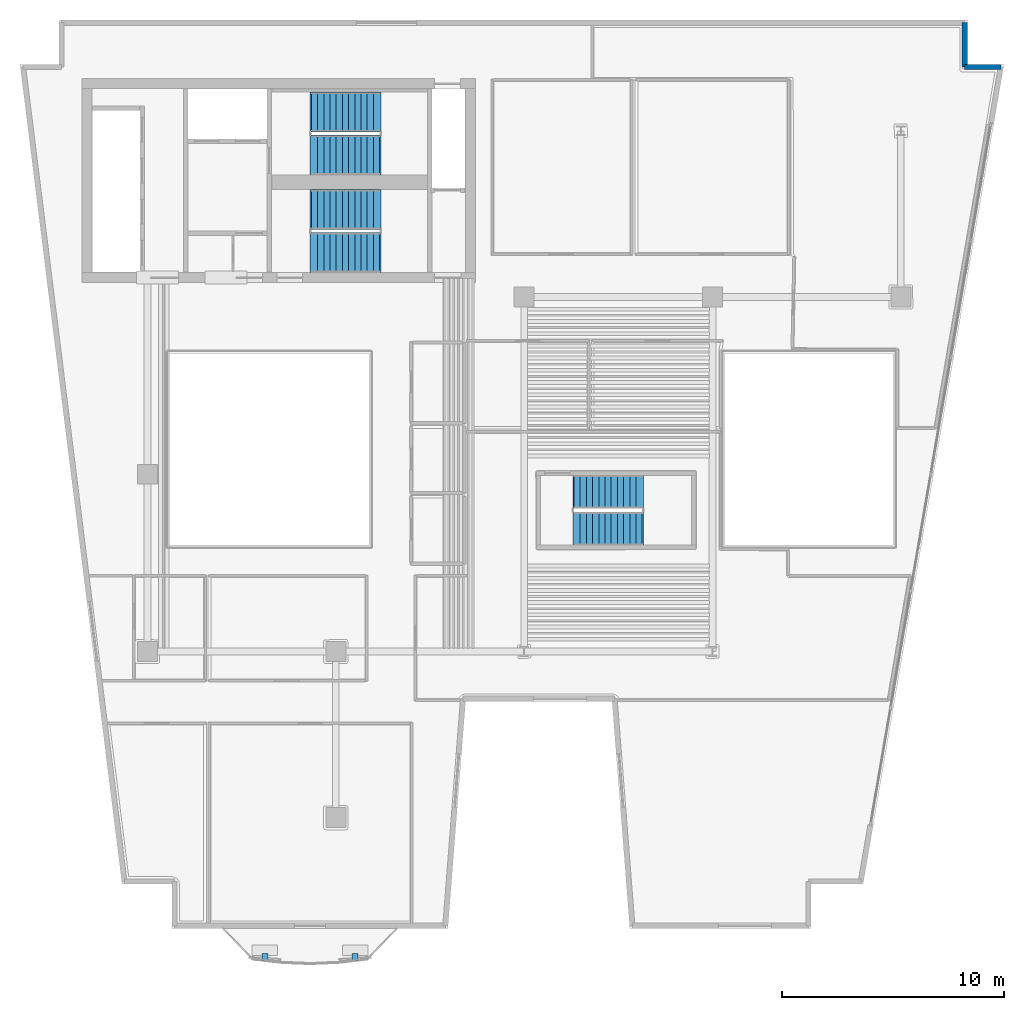
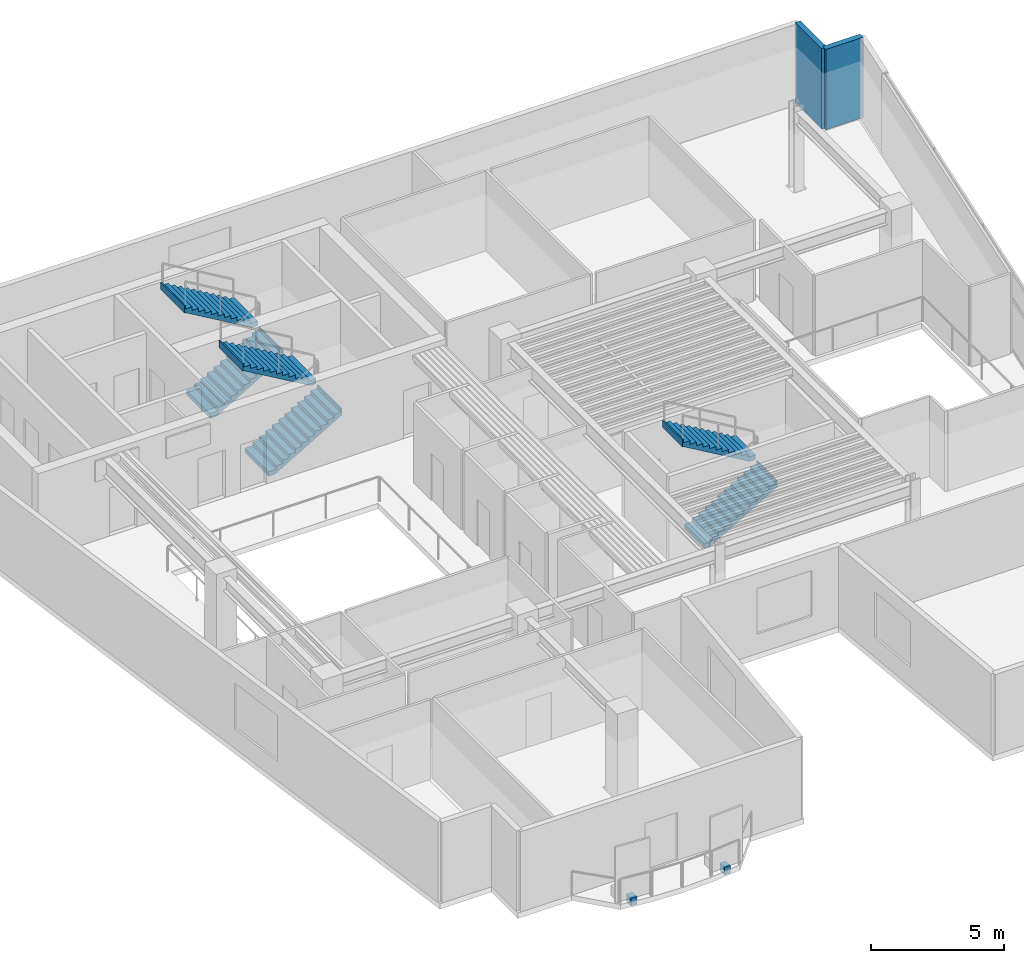
# One storey, part 6 of 9: 6 stair flights, 2 discrete accessories, 2 walls, 3 elements without a shape of their own.
"""IFC4 building model written with IfcOpenShell, lengths in metres."""

from ifc_helpers import new_model, si_unit, direction, frame, frame_2d, origin, origin_2d, place, context, subcontext, project, spatial, polyline, rectangle, outline, extrude, material, layer, layer_set, type_object, element, aggregate, save


model = new_model("IFC4")

# Units and contexts
model_context = context("Model", 3, precision=1e-05, world=origin(), true_north=direction((0.0, 1.0)))
body_context = subcontext(model_context, "Body", "Model", "MODEL_VIEW")
ifc_project = project(units=[si_unit("LENGTHUNIT", "METRE"), si_unit("AREAUNIT", "SQUARE_METRE"), si_unit("VOLUMEUNIT", "CUBIC_METRE"), si_unit("PLANEANGLEUNIT", "RADIAN"), si_unit("MASSUNIT", "GRAM", prefix="KILO")], contexts=[model_context])

# Site, building, storey
site_placement = place(None, origin())
site = spatial("IfcSite", under=ifc_project, at=site_placement, CompositionType="ELEMENT")
building_placement = place(site_placement, origin())
building = spatial("IfcBuilding", under=site, at=building_placement, Name="Caeloran Harvest Quay", CompositionType="ELEMENT")
storey_placement = place(building_placement, frame((0.0, 0.0, 215.35009765625)))
storey = spatial("IfcBuildingStorey", under=building, at=storey_placement, Name="L51", CompositionType="ELEMENT", Elevation=215.35009765625)

# Walls
ifc_material_1 = material(Name="Precast concrete C50/60", Category="concrete")
ifc_layer = layer(ifc_material_1, 0.239990234375, Name="Precast concrete C50/60")
ifc_layer_set = layer_set([ifc_layer], Name="Precast concrete C50/60")
wall_type = type_object("IfcWallType", Name="ENV-WALL-EW-240", PredefinedType="STANDARD", material=ifc_layer_set)
wall_1_placement = place(storey_placement, frame((45.3798828125, 43.3798828125, 0.0), z_axis=(0.0, 0.0, 1.0), x_axis=(0.0, -1.0, 0.0)))
element("IfcWall", 1, at=wall_1_placement, inside=storey, type_object=wall_type, Name="L51 Exterior Precast Concrete Facade Wall 7", PredefinedType="STANDARD", context=body_context, shape_type="SweptSolid", body=[
    extrude(rectangle(XDim=2.0, YDim=0.239990234375, at=frame_2d((1.0, 0.0))), origin(), (0.0, 0.0, 1.0), 3.699951171875),
])
wall_2_placement = place(storey_placement, frame((45.3798828125, 41.3798828125, 0.0), z_axis=(0.0, 0.0, 1.0), x_axis=(1.0, 0.0, 0.0)))
element("IfcWall", 2, at=wall_2_placement, inside=storey, type_object=wall_type, Name="L51 Exterior Precast Concrete Facade Wall 8", PredefinedType="STANDARD", context=body_context, shape_type="SweptSolid", body=[
    extrude(rectangle(XDim=1.634033203125, YDim=0.239990234375, at=frame_2d((0.81689453125, 0.0))), origin(), (0.0, 0.0, 1.0), 3.699951171875),
])

# Stair, stair flights
ifc_material_2 = material(Name="Concrete C50/60", Category="concrete")
stair_type_1 = type_object("IfcStairType", Name="STAIR-STC-180", PredefinedType="HALF_TURN_STAIR", material=ifc_material_2)
stair_1_placement = place(storey_placement, origin())
stair_1 = element("IfcStair", 3, at=stair_1_placement, inside=storey, type_object=stair_type_1, Name="L51 Core Pressurized Exit Stair ST-C1", PredefinedType="HALF_TURN_STAIR")
stair_flight_type_1 = type_object("IfcStairFlightType", Name="FLIGHT-STC-180", PredefinedType="STRAIGHT", material=ifc_material_2)
stair_flight_1_placement = place(storey_placement, frame((15.89990234375, 37.39990234375, 0.0), z_axis=(0.0, 0.0, 1.0), x_axis=(1.0, 0.0, 0.0)))
stair_flight_1 = element("IfcStairFlight", 4, at=stair_flight_1_placement, type_object=stair_flight_type_1, Name="ST-C1 flight 1", NumberOfRisers=12, NumberOfTreads=11, PredefinedType="STRAIGHT", RiserHeight=0.164583333, TreadLength=0.28, context=body_context, shape_type="SweptSolid", body=[
    extrude(outline(polyline([(-0.054931640625, -0.044921875), (-0.054931640625, -0.031982421875), (-0.054931640625, -0.018798828125), (-0.054931640625, -0.005615234375), (-0.054931640625, 0.00732421875), (-0.054931640625, 0.0205078125), (-0.054931640625, 0.03369140625), (-0.054931640625, 0.046630859375), (-0.054931640625, 0.059814453125), (-0.054931640625, 0.072998046875), (-0.054931640625, 0.0859375), (-0.054931640625, 0.09912109375), (-0.054931640625, 0.1123046875), (-0.054931640625, 0.125244140625), (-0.054931640625, 0.138427734375), (-0.054931640625, 0.1513671875), (-0.054931640625, 0.16455078125), (0.280029296875, 0.16455078125), (0.280029296875, 0.3291015625), (0.56005859375, 0.3291015625), (0.56005859375, 0.49365234375), (0.840087890625, 0.49365234375), (0.840087890625, 0.658447265625), (1.1201171875, 0.658447265625), (1.1201171875, 0.822998046875), (1.39990234375, 0.822998046875), (1.39990234375, 0.987548828125), (1.679931640625, 0.987548828125), (1.679931640625, 1.152099609375), (1.9599609375, 1.152099609375), (1.9599609375, 1.316650390625), (2.239990234375, 1.316650390625), (2.239990234375, 1.481201171875), (2.52001953125, 1.481201171875), (2.52001953125, 1.645751953125), (2.800048828125, 1.645751953125), (2.800048828125, 1.810302734375), (3.080078125, 1.810302734375), (3.080078125, 1.97509765625), (3.135009765625, 1.97509765625), (3.135009765625, 1.953857421875), (3.135009765625, 1.9326171875), (3.135009765625, 1.91162109375), (3.135009765625, 1.890380859375), (3.135009765625, 1.869140625), (3.135009765625, 1.84814453125), (3.135009765625, 1.826904296875), (3.135009765625, 1.8056640625), (3.135009765625, 1.78466796875), (3.135009765625, 1.763427734375), (3.135009765625, 1.7421875), (3.135009765625, 1.72119140625), (3.135009765625, 1.699951171875), (3.135009765625, 1.678955078125), (3.135009765625, 1.65771484375), (3.135009765625, 1.636474609375), (3.080078125, 1.636474609375), (0.21923828125, -0.044921875), (-0.054931640625, -0.044921875)])), frame((0.0, 0.89990234375, 0.0), z_axis=(0.0, -1.0, 0.0), x_axis=(1.0, 0.0, 0.0)), (0.0, 0.0, 1.0), 1.800048828125),
])
stair_flight_2_placement = place(storey_placement, frame((18.97998046875, 39.35009765625, 1.974853515625), z_axis=(0.0, 0.0, 1.0), x_axis=(-1.0, 0.0, 0.0)))
stair_flight_2 = element("IfcStairFlight", 5, at=stair_flight_2_placement, type_object=stair_flight_type_1, Name="ST-C1 flight 2", NumberOfRisers=12, NumberOfTreads=11, PredefinedType="STRAIGHT", RiserHeight=0.164583333, TreadLength=0.28, context=body_context, shape_type="SweptSolid", body=[
    extrude(outline(polyline([(-0.054931640625, -0.044921875), (-0.054931640625, -0.031982421875), (-0.054931640625, -0.018798828125), (-0.054931640625, -0.005615234375), (-0.054931640625, 0.00732421875), (-0.054931640625, 0.0205078125), (-0.054931640625, 0.03369140625), (-0.054931640625, 0.046630859375), (-0.054931640625, 0.059814453125), (-0.054931640625, 0.072998046875), (-0.054931640625, 0.0859375), (-0.054931640625, 0.09912109375), (-0.054931640625, 0.1123046875), (-0.054931640625, 0.125244140625), (-0.054931640625, 0.138427734375), (-0.054931640625, 0.1513671875), (-0.054931640625, 0.16455078125), (0.280029296875, 0.16455078125), (0.280029296875, 0.3291015625), (0.56005859375, 0.3291015625), (0.56005859375, 0.49365234375), (0.840087890625, 0.49365234375), (0.840087890625, 0.658447265625), (1.1201171875, 0.658447265625), (1.1201171875, 0.822998046875), (1.39990234375, 0.822998046875), (1.39990234375, 0.987548828125), (1.679931640625, 0.987548828125), (1.679931640625, 1.152099609375), (1.9599609375, 1.152099609375), (1.9599609375, 1.316650390625), (2.239990234375, 1.316650390625), (2.239990234375, 1.481201171875), (2.52001953125, 1.481201171875), (2.52001953125, 1.645751953125), (2.800048828125, 1.645751953125), (2.800048828125, 1.810302734375), (3.080078125, 1.810302734375), (3.080078125, 1.97509765625), (3.135009765625, 1.97509765625), (3.135009765625, 1.953857421875), (3.135009765625, 1.9326171875), (3.135009765625, 1.91162109375), (3.135009765625, 1.890380859375), (3.135009765625, 1.869140625), (3.135009765625, 1.84814453125), (3.135009765625, 1.826904296875), (3.135009765625, 1.8056640625), (3.135009765625, 1.78466796875), (3.135009765625, 1.763427734375), (3.135009765625, 1.7421875), (3.135009765625, 1.72119140625), (3.135009765625, 1.699951171875), (3.135009765625, 1.678955078125), (3.135009765625, 1.65771484375), (3.135009765625, 1.636474609375), (3.080078125, 1.636474609375), (0.21923828125, -0.044921875), (-0.054931640625, -0.044921875)])), frame((0.0, 0.89990234375, 0.0), z_axis=(0.0, -1.0, 0.0), x_axis=(1.0, 0.0, 0.0)), (0.0, 0.0, 1.0), 1.800048828125),
])
aggregate(stair_1, [stair_flight_1, stair_flight_2])

stair_2_placement = place(storey_placement, origin())
stair_2 = element("IfcStair", 6, at=stair_2_placement, inside=storey, type_object=stair_type_1, Name="L51 Core Pressurized Exit Stair ST-C2", PredefinedType="HALF_TURN_STAIR")
stair_flight_3_placement = place(storey_placement, frame((15.89990234375, 33.0, 0.0), z_axis=(0.0, 0.0, 1.0), x_axis=(1.0, 0.0, 0.0)))
stair_flight_3 = element("IfcStairFlight", 7, at=stair_flight_3_placement, type_object=stair_flight_type_1, Name="ST-C2 flight 1", NumberOfRisers=12, NumberOfTreads=11, PredefinedType="STRAIGHT", RiserHeight=0.164583333, TreadLength=0.28, context=body_context, shape_type="SweptSolid", body=[
    extrude(outline(polyline([(-0.054931640625, -0.044921875), (-0.054931640625, -0.031982421875), (-0.054931640625, -0.018798828125), (-0.054931640625, -0.005615234375), (-0.054931640625, 0.00732421875), (-0.054931640625, 0.0205078125), (-0.054931640625, 0.03369140625), (-0.054931640625, 0.046630859375), (-0.054931640625, 0.059814453125), (-0.054931640625, 0.072998046875), (-0.054931640625, 0.0859375), (-0.054931640625, 0.09912109375), (-0.054931640625, 0.1123046875), (-0.054931640625, 0.125244140625), (-0.054931640625, 0.138427734375), (-0.054931640625, 0.1513671875), (-0.054931640625, 0.16455078125), (0.280029296875, 0.16455078125), (0.280029296875, 0.3291015625), (0.56005859375, 0.3291015625), (0.56005859375, 0.49365234375), (0.840087890625, 0.49365234375), (0.840087890625, 0.658447265625), (1.1201171875, 0.658447265625), (1.1201171875, 0.822998046875), (1.39990234375, 0.822998046875), (1.39990234375, 0.987548828125), (1.679931640625, 0.987548828125), (1.679931640625, 1.152099609375), (1.9599609375, 1.152099609375), (1.9599609375, 1.316650390625), (2.239990234375, 1.316650390625), (2.239990234375, 1.481201171875), (2.52001953125, 1.481201171875), (2.52001953125, 1.645751953125), (2.800048828125, 1.645751953125), (2.800048828125, 1.810302734375), (3.080078125, 1.810302734375), (3.080078125, 1.97509765625), (3.135009765625, 1.97509765625), (3.135009765625, 1.953857421875), (3.135009765625, 1.9326171875), (3.135009765625, 1.91162109375), (3.135009765625, 1.890380859375), (3.135009765625, 1.869140625), (3.135009765625, 1.84814453125), (3.135009765625, 1.826904296875), (3.135009765625, 1.8056640625), (3.135009765625, 1.78466796875), (3.135009765625, 1.763427734375), (3.135009765625, 1.7421875), (3.135009765625, 1.72119140625), (3.135009765625, 1.699951171875), (3.135009765625, 1.678955078125), (3.135009765625, 1.65771484375), (3.135009765625, 1.636474609375), (3.080078125, 1.636474609375), (0.21923828125, -0.044921875), (-0.054931640625, -0.044921875)])), frame((0.0, 0.89990234375, 0.0), z_axis=(0.0, -1.0, 0.0), x_axis=(1.0, 0.0, 0.0)), (0.0, 0.0, 1.0), 1.800048828125),
])
stair_flight_4_placement = place(storey_placement, frame((18.97998046875, 34.949951171875, 1.974853515625), z_axis=(0.0, 0.0, 1.0), x_axis=(-1.0, 0.0, 0.0)))
stair_flight_4 = element("IfcStairFlight", 8, at=stair_flight_4_placement, type_object=stair_flight_type_1, Name="ST-C2 flight 2", NumberOfRisers=12, NumberOfTreads=11, PredefinedType="STRAIGHT", RiserHeight=0.164583333, TreadLength=0.28, context=body_context, shape_type="SweptSolid", body=[
    extrude(outline(polyline([(-0.054931640625, -0.044921875), (-0.054931640625, -0.031982421875), (-0.054931640625, -0.018798828125), (-0.054931640625, -0.005615234375), (-0.054931640625, 0.00732421875), (-0.054931640625, 0.0205078125), (-0.054931640625, 0.03369140625), (-0.054931640625, 0.046630859375), (-0.054931640625, 0.059814453125), (-0.054931640625, 0.072998046875), (-0.054931640625, 0.0859375), (-0.054931640625, 0.09912109375), (-0.054931640625, 0.1123046875), (-0.054931640625, 0.125244140625), (-0.054931640625, 0.138427734375), (-0.054931640625, 0.1513671875), (-0.054931640625, 0.16455078125), (0.280029296875, 0.16455078125), (0.280029296875, 0.3291015625), (0.56005859375, 0.3291015625), (0.56005859375, 0.49365234375), (0.840087890625, 0.49365234375), (0.840087890625, 0.658447265625), (1.1201171875, 0.658447265625), (1.1201171875, 0.822998046875), (1.39990234375, 0.822998046875), (1.39990234375, 0.987548828125), (1.679931640625, 0.987548828125), (1.679931640625, 1.152099609375), (1.9599609375, 1.152099609375), (1.9599609375, 1.316650390625), (2.239990234375, 1.316650390625), (2.239990234375, 1.481201171875), (2.52001953125, 1.481201171875), (2.52001953125, 1.645751953125), (2.800048828125, 1.645751953125), (2.800048828125, 1.810302734375), (3.080078125, 1.810302734375), (3.080078125, 1.97509765625), (3.135009765625, 1.97509765625), (3.135009765625, 1.953857421875), (3.135009765625, 1.9326171875), (3.135009765625, 1.91162109375), (3.135009765625, 1.890380859375), (3.135009765625, 1.869140625), (3.135009765625, 1.84814453125), (3.135009765625, 1.826904296875), (3.135009765625, 1.8056640625), (3.135009765625, 1.78466796875), (3.135009765625, 1.763427734375), (3.135009765625, 1.7421875), (3.135009765625, 1.72119140625), (3.135009765625, 1.699951171875), (3.135009765625, 1.678955078125), (3.135009765625, 1.65771484375), (3.135009765625, 1.636474609375), (3.080078125, 1.636474609375), (0.21923828125, -0.044921875), (-0.054931640625, -0.044921875)])), frame((0.0, 0.89990234375, 0.0), z_axis=(0.0, -1.0, 0.0), x_axis=(1.0, 0.0, 0.0)), (0.0, 0.0, 1.0), 1.800048828125),
])
aggregate(stair_2, [stair_flight_3, stair_flight_4])

stair_type_2 = type_object("IfcStairType", Name="STAIR-STW-150", PredefinedType="HALF_TURN_STAIR", material=ifc_material_2)
stair_3_placement = place(storey_placement, origin())
stair_3 = element("IfcStair", 9, at=stair_3_placement, inside=storey, type_object=stair_type_2, Name="L51 East Wing Protected Exit Stair ST-W1", PredefinedType="HALF_TURN_STAIR")
stair_flight_type_2 = type_object("IfcStairFlightType", Name="FLIGHT-STW-150", PredefinedType="STRAIGHT", material=ifc_material_2)
stair_flight_5_placement = place(storey_placement, frame((27.75, 20.550048828125, 0.0), z_axis=(0.0, 0.0, 1.0), x_axis=(1.0, 0.0, 0.0)))
stair_flight_5 = element("IfcStairFlight", 10, at=stair_flight_5_placement, type_object=stair_flight_type_2, Name="ST-W1 flight 1", NumberOfRisers=12, NumberOfTreads=11, PredefinedType="STRAIGHT", RiserHeight=0.164583333, TreadLength=0.28, context=body_context, shape_type="SweptSolid", body=[
    extrude(outline(polyline([(-0.054931640625, -0.044921875), (-0.054931640625, -0.031982421875), (-0.054931640625, -0.018798828125), (-0.054931640625, -0.005615234375), (-0.054931640625, 0.00732421875), (-0.054931640625, 0.0205078125), (-0.054931640625, 0.03369140625), (-0.054931640625, 0.046630859375), (-0.054931640625, 0.059814453125), (-0.054931640625, 0.072998046875), (-0.054931640625, 0.0859375), (-0.054931640625, 0.09912109375), (-0.054931640625, 0.1123046875), (-0.054931640625, 0.125244140625), (-0.054931640625, 0.138427734375), (-0.054931640625, 0.1513671875), (-0.054931640625, 0.16455078125), (0.280029296875, 0.16455078125), (0.280029296875, 0.3291015625), (0.56005859375, 0.3291015625), (0.56005859375, 0.49365234375), (0.840087890625, 0.49365234375), (0.840087890625, 0.658447265625), (1.1201171875, 0.658447265625), (1.1201171875, 0.822998046875), (1.39990234375, 0.822998046875), (1.39990234375, 0.987548828125), (1.679931640625, 0.987548828125), (1.679931640625, 1.152099609375), (1.9599609375, 1.152099609375), (1.9599609375, 1.316650390625), (2.239990234375, 1.316650390625), (2.239990234375, 1.481201171875), (2.52001953125, 1.481201171875), (2.52001953125, 1.645751953125), (2.800048828125, 1.645751953125), (2.800048828125, 1.810302734375), (3.080078125, 1.810302734375), (3.080078125, 1.97509765625), (3.135009765625, 1.97509765625), (3.135009765625, 1.953857421875), (3.135009765625, 1.9326171875), (3.135009765625, 1.91162109375), (3.135009765625, 1.890380859375), (3.135009765625, 1.869140625), (3.135009765625, 1.84814453125), (3.135009765625, 1.826904296875), (3.135009765625, 1.8056640625), (3.135009765625, 1.78466796875), (3.135009765625, 1.763427734375), (3.135009765625, 1.7421875), (3.135009765625, 1.72119140625), (3.135009765625, 1.699951171875), (3.135009765625, 1.678955078125), (3.135009765625, 1.65771484375), (3.135009765625, 1.636474609375), (3.080078125, 1.636474609375), (0.21923828125, -0.044921875), (-0.054931640625, -0.044921875)])), frame((0.0, 0.75, 0.0), z_axis=(0.0, -1.0, 0.0), x_axis=(1.0, 0.0, 0.0)), (0.0, 0.0, 1.0), 1.5),
])
stair_flight_6_placement = place(storey_placement, frame((30.830078125, 22.199951171875, 1.974853515625), z_axis=(0.0, 0.0, 1.0), x_axis=(-1.0, 0.0, 0.0)))
stair_flight_6 = element("IfcStairFlight", 11, at=stair_flight_6_placement, type_object=stair_flight_type_2, Name="ST-W1 flight 2", NumberOfRisers=12, NumberOfTreads=11, PredefinedType="STRAIGHT", RiserHeight=0.164583333, TreadLength=0.28, context=body_context, shape_type="SweptSolid", body=[
    extrude(outline(polyline([(-0.054931640625, -0.044921875), (-0.054931640625, -0.031982421875), (-0.054931640625, -0.018798828125), (-0.054931640625, -0.005615234375), (-0.054931640625, 0.00732421875), (-0.054931640625, 0.0205078125), (-0.054931640625, 0.03369140625), (-0.054931640625, 0.046630859375), (-0.054931640625, 0.059814453125), (-0.054931640625, 0.072998046875), (-0.054931640625, 0.0859375), (-0.054931640625, 0.09912109375), (-0.054931640625, 0.1123046875), (-0.054931640625, 0.125244140625), (-0.054931640625, 0.138427734375), (-0.054931640625, 0.1513671875), (-0.054931640625, 0.16455078125), (0.280029296875, 0.16455078125), (0.280029296875, 0.3291015625), (0.56005859375, 0.3291015625), (0.56005859375, 0.49365234375), (0.840087890625, 0.49365234375), (0.840087890625, 0.658447265625), (1.1201171875, 0.658447265625), (1.1201171875, 0.822998046875), (1.39990234375, 0.822998046875), (1.39990234375, 0.987548828125), (1.679931640625, 0.987548828125), (1.679931640625, 1.152099609375), (1.9599609375, 1.152099609375), (1.9599609375, 1.316650390625), (2.239990234375, 1.316650390625), (2.239990234375, 1.481201171875), (2.52001953125, 1.481201171875), (2.52001953125, 1.645751953125), (2.800048828125, 1.645751953125), (2.800048828125, 1.810302734375), (3.080078125, 1.810302734375), (3.080078125, 1.97509765625), (3.135009765625, 1.97509765625), (3.135009765625, 1.953857421875), (3.135009765625, 1.9326171875), (3.135009765625, 1.91162109375), (3.135009765625, 1.890380859375), (3.135009765625, 1.869140625), (3.135009765625, 1.84814453125), (3.135009765625, 1.826904296875), (3.135009765625, 1.8056640625), (3.135009765625, 1.78466796875), (3.135009765625, 1.763427734375), (3.135009765625, 1.7421875), (3.135009765625, 1.72119140625), (3.135009765625, 1.699951171875), (3.135009765625, 1.678955078125), (3.135009765625, 1.65771484375), (3.135009765625, 1.636474609375), (3.080078125, 1.636474609375), (0.21923828125, -0.044921875), (-0.054931640625, -0.044921875)])), frame((0.0, 0.75, 0.0), z_axis=(0.0, -1.0, 0.0), x_axis=(1.0, 0.0, 0.0)), (0.0, 0.0, 1.0), 1.5),
])
aggregate(stair_3, [stair_flight_5, stair_flight_6])

# Discrete accessories
ifc_material_3 = material(Name="Stainless Steel Grade 316L", Category="steel")
discrete_accessory_type = type_object("IfcDiscreteAccessoryType", Name="BRACKET-SCREEN-SS", PredefinedType="BRACKET", material=ifc_material_3)
for number, where, z_axis, x_axis, name in (
    (12, (17.868408203125, 1.204833984375, -0.22021484375), (0.0, 0.0, 1.0), (1.0, 0.0, 0.0), "L51 Balcony Screen Support Bracket 1"),
    (13, (13.800537109375, 1.204833984375, -0.22021484375), (0.0, 0.0, 1.0), (1.0, 0.0, 0.0), "L51 Balcony Screen Support Bracket 2"),
):
    element("IfcDiscreteAccessory", number, at=place(storey_placement, frame(where, z_axis=z_axis, x_axis=x_axis)), inside=storey, type_object=discrete_accessory_type, Name=name, PredefinedType="BRACKET", context=body_context, shape_type="SweptSolid", body=[
        extrude(rectangle(XDim=0.260009765625, YDim=0.340087890625, at=origin_2d()), origin(), (0.0, 0.0, 1.0), 0.360107421875),
    ])

save(model, "model.ifc")
